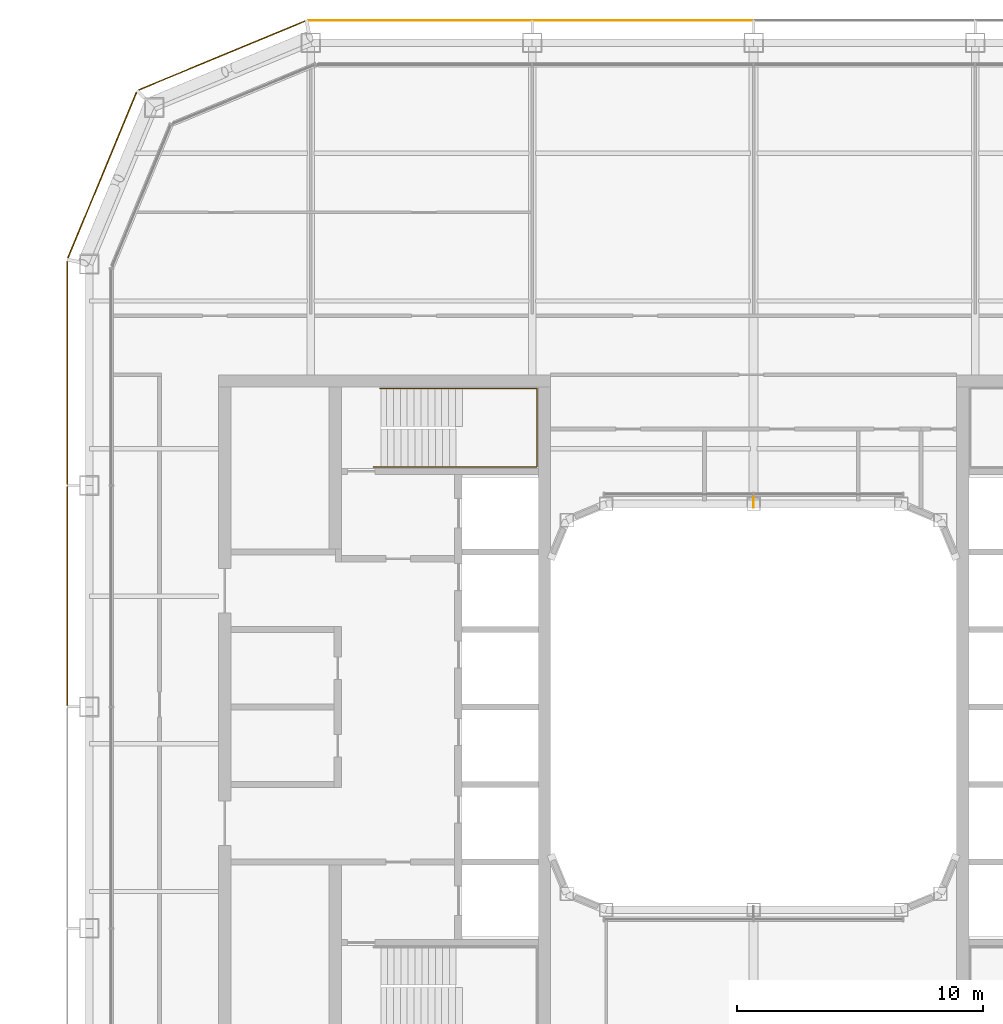
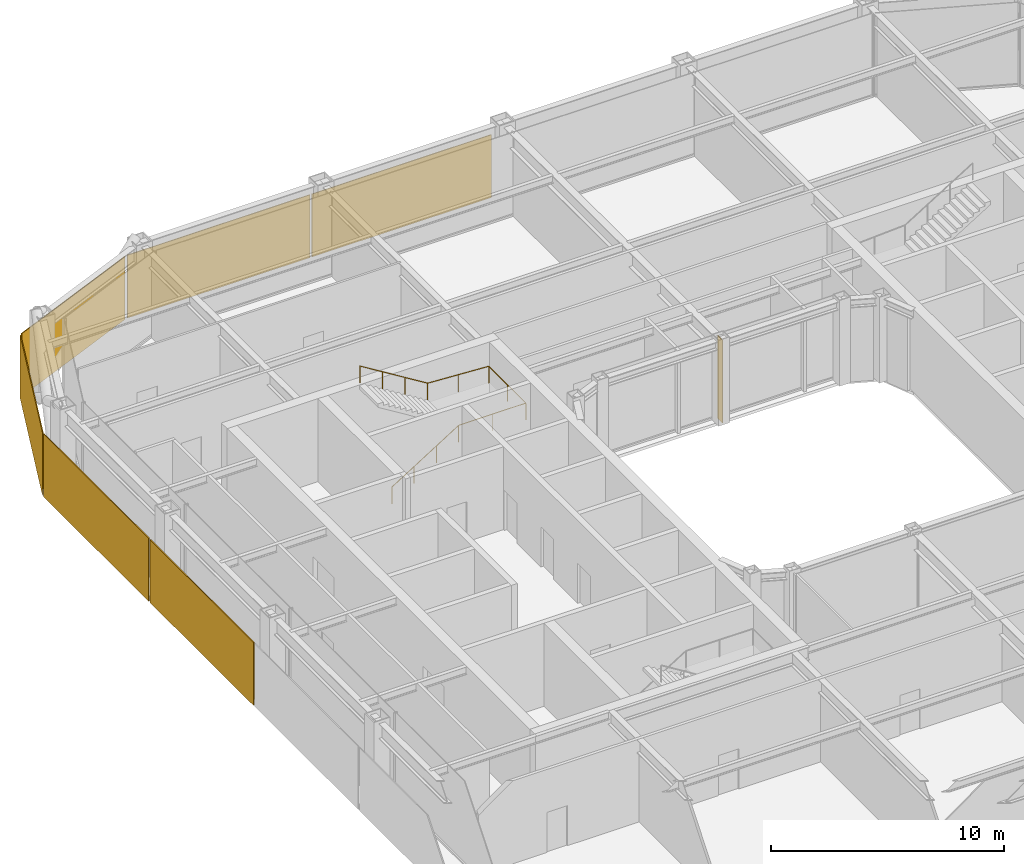
# One storey, part 21 of 23: 6 coverings, 1 railing, 1 shading device.
"""IFC4 building model written with IfcOpenShell, lengths in metres."""

from ifc_helpers import new_model, si_unit, direction, frame, origin, origin_2d, place, context, subcontext, project, spatial, rectangle, circle, extrude, material, layer, layer_set, type_object, element, save


model = new_model("IFC4")

# Units and contexts
model_context = context("Model", 3, precision=1e-05, world=origin(), true_north=direction((0.0, 1.0)))
body_context = subcontext(model_context, "Body", "Model", "MODEL_VIEW")
ifc_project = project(units=[si_unit("LENGTHUNIT", "METRE"), si_unit("AREAUNIT", "SQUARE_METRE"), si_unit("VOLUMEUNIT", "CUBIC_METRE"), si_unit("PLANEANGLEUNIT", "RADIAN"), si_unit("MASSUNIT", "GRAM", prefix="KILO")], contexts=[model_context])

# Site, building, storey
site_placement = place(None, origin())
site = spatial("IfcSite", under=ifc_project, at=site_placement, CompositionType="ELEMENT")
building_placement = place(site_placement, origin())
building = spatial("IfcBuilding", under=site, at=building_placement, Name="Siwar Civic Tower", CompositionType="ELEMENT")
storey_placement = place(building_placement, frame((0.0, 0.0, 251.199951171875)))
storey = spatial("IfcBuildingStorey", under=building, at=storey_placement, Name="L54", CompositionType="ELEMENT", Elevation=251.199951171875)

# Railing
ifc_material_1 = material(Name="Stainless steel", Category="steel")
railing_type = type_object("IfcRailingType", Name="CORE-STAIR-HANDRAIL", PredefinedType="HANDRAIL", material=ifc_material_1)
railing_placement = place(storey_placement, frame((-15.449951171875, 9.758056640625, 0.173095703125)))
element("IfcRailing", 1, at=railing_placement, inside=storey, type_object=railing_type, Name="Stair handrail ST1", PredefinedType="HANDRAIL", context=body_context, shape_type="SweptSolid", body=[
    extrude(circle(Radius=0.02001953125, at=origin_2d()), frame((0.0, 0.0, 0.8798828125), z_axis=(0.847063342986, 0.0, 0.531491950051), x_axis=(0.0, 1.0, 0.0)), (0.0, 0.0, 1.0), 3.90771484375),
    extrude(circle(Radius=0.02001953125, at=origin_2d()), frame((3.31005859375, 0.0, 2.956787109375), z_axis=(1.0, 0.0, 0.0), x_axis=(0.0, 1.0, 0.0)), (0.0, 0.0, 1.0), 3.331787109375),
    extrude(circle(Radius=0.02001953125, at=origin_2d()), frame((6.641845703125, 0.0, 2.956787109375), z_axis=(0.0, 1.0, 0.0), x_axis=(-1.0, 0.0, 0.0)), (0.0, 0.0, 1.0), 3.183837890625),
    extrude(circle(Radius=0.02001953125, at=origin_2d()), frame((6.641845703125, 3.183837890625, 2.956787109375), z_axis=(-0.99837434197, 0.0, 0.056997134106), x_axis=(0.0, -1.0, 0.0)), (0.0, 0.0, 1.0), 3.036865234375),
    extrude(circle(Radius=0.02001953125, at=origin_2d()), frame((3.60986328125, 3.183837890625, 3.1298828125), z_axis=(-0.850606129759, 0.0, 0.525803396734), x_axis=(0.0, -1.0, 0.0)), (0.0, 0.0, 1.0), 3.949951171875),
    extrude(circle(Radius=0.02001953125, at=origin_2d()), origin(), (0.0, 0.0, 1.0), 0.85986328125),
    extrude(circle(Radius=0.02001953125, at=origin_2d()), frame((1.103271484375, 0.0, 0.6923828125)), (0.0, 0.0, 1.0), 0.85986328125),
    extrude(circle(Radius=0.02001953125, at=origin_2d()), frame((2.206787109375, 0.0, 1.384521484375)), (0.0, 0.0, 1.0), 0.85986328125),
    extrude(circle(Radius=0.02001953125, at=origin_2d()), frame((3.31005859375, 0.0, 2.076904296875)), (0.0, 0.0, 1.0), 0.85986328125),
    extrude(circle(Radius=0.02001953125, at=origin_2d()), frame((4.97607421875, 0.0, 2.076904296875)), (0.0, 0.0, 1.0), 0.85986328125),
    extrude(circle(Radius=0.02001953125, at=origin_2d()), frame((6.641845703125, 0.0, 2.076904296875)), (0.0, 0.0, 1.0), 0.85986328125),
    extrude(circle(Radius=0.02001953125, at=origin_2d()), frame((6.641845703125, 1.591796875, 2.076904296875)), (0.0, 0.0, 1.0), 0.85986328125),
    extrude(circle(Radius=0.02001953125, at=origin_2d()), frame((6.641845703125, 3.183837890625, 2.076904296875)), (0.0, 0.0, 1.0), 0.85986328125),
    extrude(circle(Radius=0.02001953125, at=origin_2d()), frame((5.1259765625, 3.183837890625, 2.16357421875)), (0.0, 0.0, 1.0), 0.85986328125),
    extrude(circle(Radius=0.02001953125, at=origin_2d()), frame((3.60986328125, 3.183837890625, 2.25)), (0.0, 0.0, 1.0), 0.85986328125),
    extrude(circle(Radius=0.02001953125, at=origin_2d()), frame((2.489990234375, 3.183837890625, 2.9423828125)), (0.0, 0.0, 1.0), 0.85986328125),
    extrude(circle(Radius=0.02001953125, at=origin_2d()), frame((1.369873046875, 3.183837890625, 3.634521484375)), (0.0, 0.0, 1.0), 0.85986328125),
    extrude(circle(Radius=0.02001953125, at=origin_2d()), frame((0.25, 3.183837890625, 4.326904296875)), (0.0, 0.0, 1.0), 0.85986328125),
])

# Shading device
ifc_material_2 = material(Name="Aluminium 6063-T6", Category="aluminium")
ifc_layer_1 = layer(ifc_material_2, 0.02001953125)
ifc_layer_set_1 = layer_set([ifc_layer_1], Name="Aluminium 6063-T6")
shading_device_type = type_object("IfcShadingDeviceType", Name="ENV-FIN", PredefinedType="JALOUSIE", material=ifc_layer_set_1)
shading_device_placement = place(storey_placement, frame((0.0, 8.320068359375, 0.0), z_axis=(0.0, 0.0, 1.0), x_axis=(-1.0, 0.0, 0.0)))
element("IfcShadingDevice", 2, at=shading_device_placement, inside=storey, type_object=shading_device_type, Name="SUNSHADE fin WN 1", PredefinedType="JALOUSIE", context=body_context, shape_type="SweptSolid", body=[
    extrude(rectangle(XDim=0.02001953125, YDim=0.449951171875, at=origin_2d()), origin(), (0.0, 0.0, 1.0), 4.35009765625),
])

# Coverings
ifc_material_3 = material(Name="Perforated aluminium cassette, pale metal", Category="aluminium")
ifc_layer_2 = layer(ifc_material_3, 0.0400390625)
ifc_layer_set_2 = layer_set([ifc_layer_2], Name="Perforated aluminium cassette, pale metal")
covering_type_1 = type_object("IfcCoveringType", Name="ENV-OUTER SKIN OS-1", PredefinedType="CLADDING", material=ifc_layer_set_2)
covering_1_placement = place(storey_placement, frame((-4.5, 27.89990234375, -0.14990234375), z_axis=(0.0, 0.0, 1.0), x_axis=(-1.0, 0.0, 0.0)))
element("IfcCovering", 3, at=covering_1_placement, inside=storey, type_object=covering_type_1, Name="OUTER SKIN OS-1 N 3", PredefinedType="CLADDING", context=body_context, shape_type="SweptSolid", body=[
    extrude(rectangle(XDim=8.89990234375, YDim=0.0400390625, at=origin_2d()), origin(), (0.0, 0.0, 1.0), 3.300048828125),
])
covering_2_placement = place(storey_placement, frame((-13.57958984375, 27.89990234375, -0.14990234375), z_axis=(0.0, 0.0, 1.0), x_axis=(-1.0, 0.0, 0.0)))
element("IfcCovering", 4, at=covering_2_placement, inside=storey, type_object=covering_type_1, Name="OUTER SKIN OS-1 N 4", PredefinedType="CLADDING", context=body_context, shape_type="SweptSolid", body=[
    extrude(rectangle(XDim=9.05908203125, YDim=0.0400390625, at=origin_2d()), origin(), (0.0, 0.0, 1.0), 3.300048828125),
])
covering_3_placement = place(storey_placement, frame((-21.615966796875, 26.476318359375, -0.14990234375), z_axis=(0.0, 0.0, 1.0), x_axis=(-0.923879532511, -0.382683432365, 0.0)))
element("IfcCovering", 5, at=covering_3_placement, inside=storey, type_object=covering_type_1, Name="OUTER SKIN OS-1 NW1 1", PredefinedType="CLADDING", context=body_context, shape_type="SweptSolid", body=[
    extrude(rectangle(XDim=7.300048828125, YDim=0.0400390625, at=origin_2d()), origin(), (0.0, 0.0, 1.0), 3.300048828125),
])
ifc_material_4 = material(Name="Perforated aluminium cassette, pale metal", Category="aluminium")
ifc_layer_3 = layer(ifc_material_4, 0.044921875)
ifc_layer_set_3 = layer_set([ifc_layer_3], Name="Perforated aluminium cassette, pale metal")
covering_type_2 = type_object("IfcCoveringType", Name="ENV-OUTER SKIN OS-2", PredefinedType="CLADDING", material=ifc_layer_set_3)
covering_4_placement = place(storey_placement, frame((-26.476318359375, 21.615966796875, -0.14990234375), z_axis=(0.0, 0.0, 1.0), x_axis=(-0.382683432365, -0.923879532511, 0.0)))
element("IfcCovering", 6, at=covering_4_placement, inside=storey, type_object=covering_type_2, Name="OUTER SKIN OS-2 NW2 1", PredefinedType="CLADDING", context=body_context, shape_type="SweptSolid", body=[
    extrude(rectangle(XDim=7.300048828125, YDim=0.044921875, at=origin_2d()), origin(), (0.0, 0.0, 1.0), 3.300048828125),
])
ifc_material_5 = material(Name="Perforated aluminium cassette, pale metal", Category="aluminium")
ifc_layer_4 = layer(ifc_material_5, 0.050048828125)
ifc_layer_set_4 = layer_set([ifc_layer_4], Name="Perforated aluminium cassette, pale metal")
covering_type_3 = type_object("IfcCoveringType", Name="ENV-OUTER SKIN OS-3", PredefinedType="CLADDING", material=ifc_layer_set_4)
covering_5_placement = place(storey_placement, frame((-27.89990234375, 13.57958984375, -0.14990234375), z_axis=(0.0, 0.0, 1.0), x_axis=(0.0, -1.0, 0.0)))
element("IfcCovering", 7, at=covering_5_placement, inside=storey, type_object=covering_type_3, Name="OUTER SKIN OS-3 W 1", PredefinedType="CLADDING", context=body_context, shape_type="SweptSolid", body=[
    extrude(rectangle(XDim=9.05908203125, YDim=0.050048828125, at=origin_2d()), origin(), (0.0, 0.0, 1.0), 3.300048828125),
])
covering_6_placement = place(storey_placement, frame((-27.89990234375, 4.5, -0.14990234375), z_axis=(0.0, 0.0, 1.0), x_axis=(0.0, -1.0, 0.0)))
element("IfcCovering", 8, at=covering_6_placement, inside=storey, type_object=covering_type_3, Name="OUTER SKIN OS-3 W 2", PredefinedType="CLADDING", context=body_context, shape_type="SweptSolid", body=[
    extrude(rectangle(XDim=8.89990234375, YDim=0.050048828125, at=origin_2d()), origin(), (0.0, 0.0, 1.0), 3.300048828125),
])

save(model, "model.ifc")
